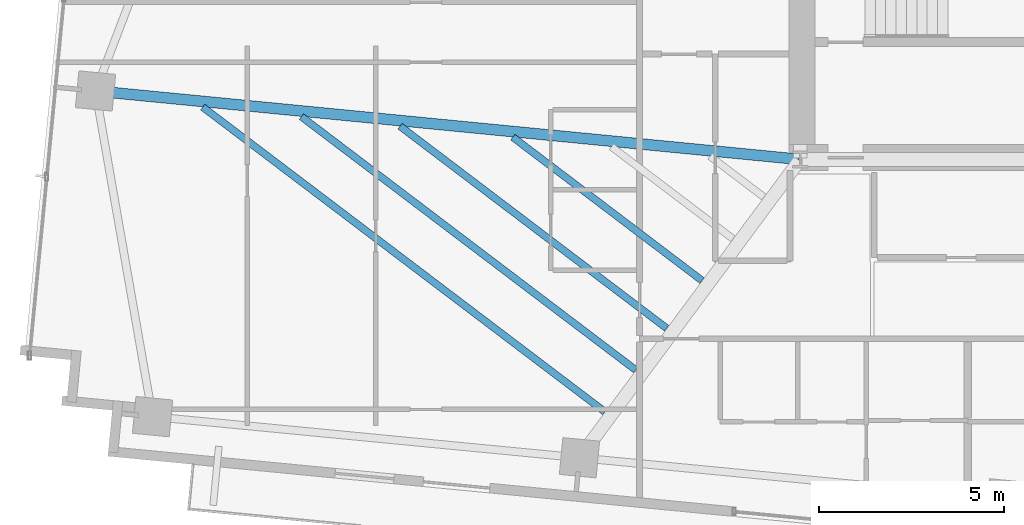
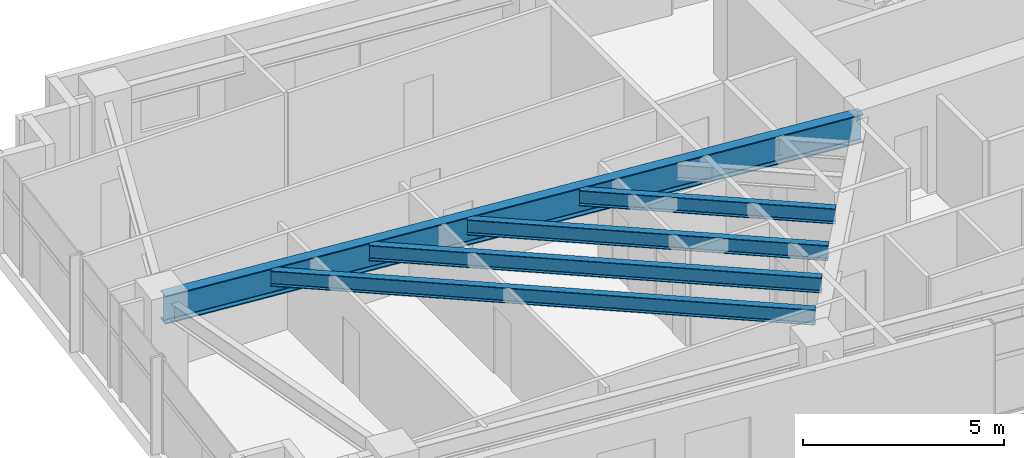
# One storey, part 3 of 19: 5 beams.
"""IFC4 building model written with IfcOpenShell, lengths in metres."""

from ifc_helpers import new_model, si_unit, direction, frame, origin, origin_2d, place, context, subcontext, project, spatial, i_section, extrude, source, transform, mapped, material, material_profile, profile_set, type_object, type_shapes, element, save


model = new_model("IFC4")

# Units and contexts
model_context = context("Model", 3, precision=1e-05, world=origin(), true_north=direction((0.0, 1.0)))
body_context = subcontext(model_context, "Body", "Model", "MODEL_VIEW")
ifc_project = project(units=[si_unit("LENGTHUNIT", "METRE"), si_unit("AREAUNIT", "SQUARE_METRE"), si_unit("VOLUMEUNIT", "CUBIC_METRE"), si_unit("PLANEANGLEUNIT", "RADIAN"), si_unit("MASSUNIT", "GRAM", prefix="KILO")], contexts=[model_context])

# Site, building, storey
site_placement = place(None, origin())
site = spatial("IfcSite", under=ifc_project, at=site_placement, CompositionType="ELEMENT")
building_placement = place(site_placement, origin())
building = spatial("IfcBuilding", under=site, at=building_placement, Name="Astriad Promenade Condominiums", CompositionType="ELEMENT")
storey_placement = place(building_placement, frame((0.0, 0.0, 124.60009765625)))
storey = spatial("IfcBuildingStorey", under=building, at=storey_placement, Name="L35", CompositionType="ELEMENT", Elevation=124.60009765625)

# Beams
ifc_material = material(Name="Steel ASTM A992 Grade 50", Category="steel")
ifc_material_profile_1 = material_profile(ifc_material, i_section(OverallWidth=0.2919921875, OverallDepth=0.85888671875, WebThickness=0.01708984375, FlangeThickness=0.031005859375, FilletRadius=0.02294921875, at=origin_2d()), Name="W33X169")
ifc_profile_set_1 = profile_set([ifc_material_profile_1], Name="Steel ASTM A992 Grade 50")
beam_type_1 = type_object("IfcBeamType", Name="STEEL PRIMARY GIRDER W33X169", PredefinedType="BEAM", material=ifc_profile_set_1)
shared_shape_1 = source(origin(), body_context, "Body", "SweptSolid", [
    extrude(i_section(OverallWidth=0.2919921875, OverallDepth=0.85888671875, WebThickness=0.01708984375, FlangeThickness=0.031005859375, FilletRadius=0.02294921875, at=origin_2d()), origin(), (0.0, 0.0, 1.0), 19.07177734375),
])
type_shapes(beam_type_1, [shared_shape_1])
beam_1_placement = place(storey_placement, frame((7.377685546875, 19.247802734375, 2.510498046875), z_axis=(0.995314830032, -0.096687068001, 0.0), x_axis=(0.096687068001, 0.995314830032, 0.0)))
element("IfcBeam", 1, at=beam_1_placement, inside=storey, type_object=beam_type_1, Name="Primary Floor Girder PG-WM-L35", PredefinedType="BEAM", context=body_context, shape_type="MappedRepresentation", body=[
    mapped(shared_shape_1, transform((0.0, 0.0, 0.0), scale=1.0)),
])
ifc_material_profile_2 = material_profile(ifc_material, i_section(OverallWidth=0.19287109375, OverallDepth=0.466064453125, WebThickness=0.011474609375, FlangeThickness=0.01904296875, FilletRadius=0.01513671875, at=origin_2d()), Name="W18X65")
ifc_profile_set_2 = profile_set([ifc_material_profile_2], Name="Steel ASTM A992 Grade 50")
beam_type_2 = type_object("IfcBeamType", Name="STEEL FLOOR JOIST W18X65", PredefinedType="JOIST", material=ifc_profile_set_2)
shared_shape_2 = source(origin(), body_context, "Body", "SweptSolid", [
    extrude(i_section(OverallWidth=0.19287109375, OverallDepth=0.466064453125, WebThickness=0.011474609375, FlangeThickness=0.01904296875, FilletRadius=0.01513671875, at=origin_2d()), origin(), (0.0, 0.0, 1.0), 13.64697265625),
])
beam_2_placement = place(storey_placement, frame((10.236572265625, 18.818115234375, 2.706787109375), z_axis=(0.796973667543, -0.604014050534, 0.0), x_axis=(0.604014050534, 0.796973667543, 0.0)))
element("IfcBeam", 2, at=beam_2_placement, inside=storey, type_object=beam_type_2, Name="Secondary Composite Floor Joist JW1-1-L35", PredefinedType="JOIST", context=body_context, shape_type="MappedRepresentation", body=[
    mapped(shared_shape_2, transform((0.0, 0.0, 0.0), scale=1.0)),
])
shared_shape_3 = source(origin(), body_context, "Body", "SweptSolid", [
    extrude(i_section(OverallWidth=0.19287109375, OverallDepth=0.466064453125, WebThickness=0.011474609375, FlangeThickness=0.01904296875, FilletRadius=0.01513671875, at=origin_2d()), origin(), (0.0, 0.0, 1.0), 11.347412109375),
])
beam_3_placement = place(storey_placement, frame((12.9052734375, 18.558837890625, 2.706787109375), z_axis=(0.796976964849, -0.60400969984, 0.0), x_axis=(0.60400969984, 0.796976964849, 0.0)))
element("IfcBeam", 3, at=beam_3_placement, inside=storey, type_object=beam_type_2, Name="Secondary Composite Floor Joist JW1-2-L35", PredefinedType="JOIST", context=body_context, shape_type="MappedRepresentation", body=[
    mapped(shared_shape_3, transform((0.0, 0.0, 0.0), scale=1.0)),
])
shared_shape_4 = source(origin(), body_context, "Body", "SweptSolid", [
    extrude(i_section(OverallWidth=0.19287109375, OverallDepth=0.466064453125, WebThickness=0.011474609375, FlangeThickness=0.01904296875, FilletRadius=0.01513671875, at=origin_2d()), origin(), (0.0, 0.0, 1.0), 9.048095703125),
])
beam_4_placement = place(storey_placement, frame((15.573974609375, 18.299560546875, 2.706787109375), z_axis=(0.796981937997, -0.604003137829, 0.0), x_axis=(0.604003137829, 0.796981937997, 0.0)))
element("IfcBeam", 4, at=beam_4_placement, inside=storey, type_object=beam_type_2, Name="Secondary Composite Floor Joist JW1-3-L35", PredefinedType="JOIST", context=body_context, shape_type="MappedRepresentation", body=[
    mapped(shared_shape_4, transform((0.0, 0.0, 0.0), scale=1.0)),
])
shared_shape_5 = source(origin(), body_context, "Body", "SweptSolid", [
    extrude(i_section(OverallWidth=0.19287109375, OverallDepth=0.466064453125, WebThickness=0.011474609375, FlangeThickness=0.01904296875, FilletRadius=0.01513671875, at=origin_2d()), origin(), (0.0, 0.0, 1.0), 6.420654296875),
])
type_shapes(beam_type_2, [shared_shape_2, shared_shape_3, shared_shape_4, shared_shape_5])
beam_5_placement = place(storey_placement, frame((18.6240234375, 18.00341796875, 2.706787109375), z_axis=(0.796964567146, -0.604026057976, 0.0), x_axis=(0.604026057976, 0.796964567146, 0.0)))
element("IfcBeam", 5, at=beam_5_placement, inside=storey, type_object=beam_type_2, Name="Secondary Composite Floor Joist JW1-4-L35", PredefinedType="JOIST", context=body_context, shape_type="MappedRepresentation", body=[
    mapped(shared_shape_5, transform((0.0, 0.0, 0.0), scale=1.0)),
])

save(model, "model.ifc")
